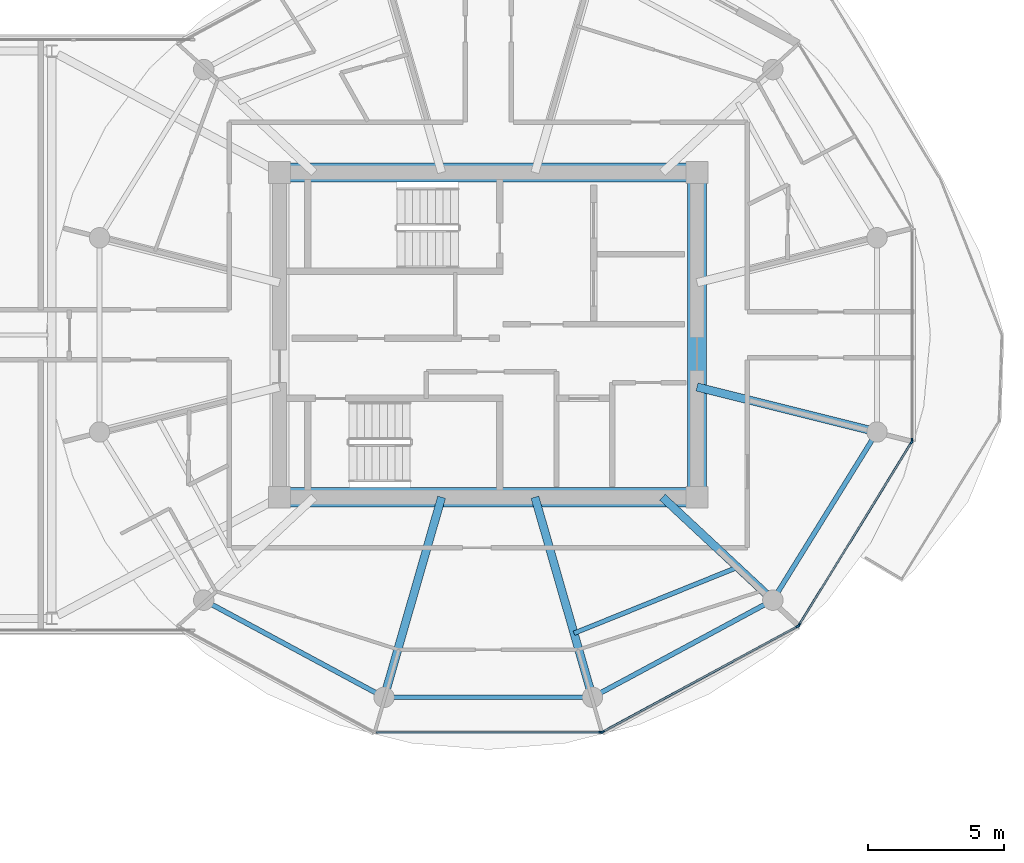
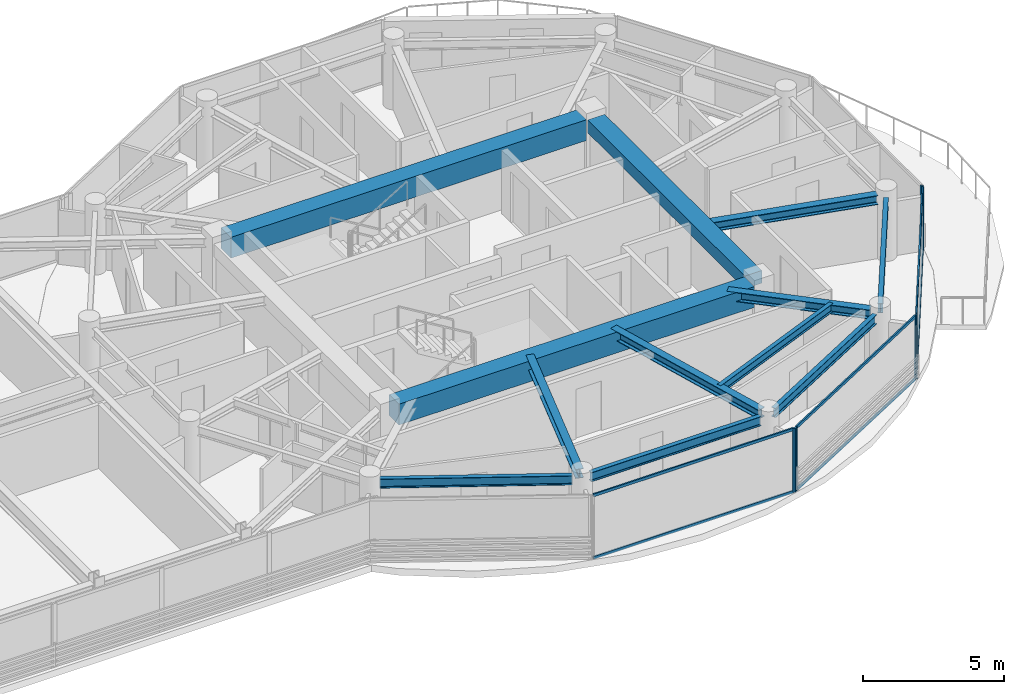
# One storey, part 9 of 23: 12 beams, 12 members, 4 elements without a shape of their own.
"""IFC4 building model written with IfcOpenShell, lengths in metres."""

from ifc_helpers import new_model, si_unit, direction, frame, origin, origin_2d, place, context, subcontext, project, spatial, rectangle, i_section, extrude, source, transform, mapped, material, layer, layer_set, material_profile, profile_set, type_object, type_shapes, element, aggregate, save


model = new_model("IFC4")

# Units and contexts
model_context = context("Model", 3, precision=1e-05, world=origin(), true_north=direction((0.0, 1.0)))
body_context = subcontext(model_context, "Body", "Model", "MODEL_VIEW")
ifc_project = project(units=[si_unit("LENGTHUNIT", "METRE"), si_unit("AREAUNIT", "SQUARE_METRE"), si_unit("VOLUMEUNIT", "CUBIC_METRE"), si_unit("PLANEANGLEUNIT", "RADIAN"), si_unit("MASSUNIT", "GRAM", prefix="KILO")], contexts=[model_context])

# Site, building, storey
site_placement = place(None, origin())
site = spatial("IfcSite", under=ifc_project, at=site_placement, CompositionType="ELEMENT")
building_placement = place(site_placement, origin())
building = spatial("IfcBuilding", under=site, at=building_placement, Name="Norrkilde Senior Care Towers", CompositionType="ELEMENT")
storey_placement = place(building_placement, frame((0.0, 0.0, 216.949951171875)))
storey = spatial("IfcBuildingStorey", under=building, at=storey_placement, Name="L67", CompositionType="ELEMENT", Elevation=216.949951171875)

# Beams
ifc_material_1 = material(Name="Concrete C60/75", Category="concrete")
ifc_material_profile_1 = material_profile(ifc_material_1, rectangle(XDim=0.699951171875, YDim=0.89990234375, at=origin_2d()), Name="RC BM 700x900")
ifc_profile_set_1 = profile_set([ifc_material_profile_1], Name="Concrete C60/75")
beam_type_1 = type_object("IfcBeamType", Name="Core Coupling Girder 700x900", PredefinedType="USERDEFINED", material=ifc_profile_set_1)
shared_shape_1 = source(origin(), body_context, "Body", "SweptSolid", [
    extrude(rectangle(XDim=0.699951171875, YDim=0.89990234375, at=origin_2d()), origin(), (0.0, 0.0, 1.0), 14.5400390625),
])
type_shapes(beam_type_1, [shared_shape_1])
for number, where, z_axis, x_axis, name in (
    (1, (20.72998046875, 5.949951171875, 2.31005859375), (1.0, 0.0, 0.0), (0.0, 1.0, 0.0), "L67 Core E N Coupling Girder"),
    (2, (20.72998046875, -5.949951171875, 2.31005859375), (1.0, 0.0, 0.0), (0.0, 1.0, 0.0), "L67 Core E S Coupling Girder"),
):
    element("IfcBeam", number, at=place(storey_placement, frame(where, z_axis=z_axis, x_axis=x_axis)), inside=storey, type_object=beam_type_1, Name=name, ObjectType="GIRDER", PredefinedType="USERDEFINED", context=body_context, shape_type="MappedRepresentation", body=[
        mapped(shared_shape_1, transform((0.0, 0.0, 0.0), x_axis=(1.0, 0.0, 0.0), y_axis=(0.0, 1.0, 0.0), z_axis=(0.0, 0.0, 1.0), scale=1.0)),
    ])
ifc_material_profile_2 = material_profile(ifc_material_1, rectangle(XDim=0.699951171875, YDim=0.550048828125, at=origin_2d()), Name="RC BM 700x550")
ifc_profile_set_2 = profile_set([ifc_material_profile_2], Name="Concrete C60/75")
beam_type_2 = type_object("IfcBeamType", Name="Core Portal Coupling Beam 700x550", PredefinedType="USERDEFINED", material=ifc_profile_set_2)
shared_shape_2 = source(origin(), body_context, "Body", "SweptSolid", [
    extrude(rectangle(XDim=0.699951171875, YDim=0.550048828125, at=origin_2d()), origin(), (0.0, 0.0, 1.0), 11.14013671875),
])
type_shapes(beam_type_2, [shared_shape_2])
beam_1_placement = place(storey_placement, frame((35.64990234375, -5.570068359375, 2.485107421875), z_axis=(0.0, 1.0, 0.0), x_axis=(-1.0, 0.0, 0.0)))
element("IfcBeam", 3, at=beam_1_placement, inside=storey, type_object=beam_type_2, Name="L67 Core E E Coupling Girder", ObjectType="GIRDER", PredefinedType="USERDEFINED", context=body_context, shape_type="MappedRepresentation", body=[
    mapped(shared_shape_2, transform((0.0, 0.0, 0.0), x_axis=(1.0, 0.0, 0.0), y_axis=(0.0, 1.0, 0.0), z_axis=(0.0, 0.0, 1.0), scale=1.0)),
])
ifc_material_2 = material(Name="Steel S355", Category="steel")
ifc_material_profile_3 = material_profile(ifc_material_2, i_section(OverallWidth=0.179931640625, OverallDepth=0.39990234375, WebThickness=0.008544921875, FlangeThickness=0.013427734375, FilletRadius=0.02099609375, at=origin_2d()), Name="IPE 400")
ifc_profile_set_3 = profile_set([ifc_material_profile_3], Name="Steel S355")
beam_type_3 = type_object("IfcBeamType", Name="Perimeter Ring Spandrel Z4 IPE400", PredefinedType="SPANDREL", material=ifc_profile_set_3)
shared_shape_3 = source(origin(), body_context, "Body", "SweptSolid", [
    extrude(i_section(OverallWidth=0.179931640625, OverallDepth=0.39990234375, WebThickness=0.008544921875, FlangeThickness=0.013427734375, FilletRadius=0.02099609375, at=origin_2d()), origin(), (0.0, 0.0, 1.0), 6.58056640625),
])
beam_2_placement = place(storey_placement, frame((38.606201171875, -9.43798828125, 2.56005859375), z_axis=(0.526529583789, 0.850156807533, 0.0), x_axis=(-0.850156807533, 0.526529583789, 0.0)))
element("IfcBeam", 4, at=beam_2_placement, inside=storey, type_object=beam_type_3, Name="L67 Drum E Perimeter Spandrel 11", PredefinedType="SPANDREL", context=body_context, shape_type="MappedRepresentation", body=[
    mapped(shared_shape_3, transform((0.0, 0.0, 0.0), x_axis=(1.0, 0.0, 0.0), y_axis=(0.0, 1.0, 0.0), z_axis=(0.0, 0.0, 1.0), scale=1.0)),
])
ifc_material_profile_4 = material_profile(ifc_material_2, i_section(OverallWidth=0.300048828125, OverallDepth=0.39990234375, WebThickness=0.013427734375, FlangeThickness=0.02392578125, FilletRadius=0.027099609375, at=origin_2d()), Name="HEB 400")
ifc_profile_set_4 = profile_set([ifc_material_profile_4], Name="Steel S355")
beam_type_4 = type_object("IfcBeamType", Name="Radial Floor Beam Z4 HEB400", PredefinedType="BEAM", material=ifc_profile_set_4)
shared_shape_4 = source(origin(), body_context, "Body", "SweptSolid", [
    extrude(i_section(OverallWidth=0.300048828125, OverallDepth=0.39990234375, WebThickness=0.013427734375, FlangeThickness=0.02392578125, FilletRadius=0.027099609375, at=origin_2d()), origin(), (0.0, 0.0, 1.0), 6.465087890625),
])
beam_3_placement = place(storey_placement, frame((35.64990234375, -1.910888671875, 2.56005859375), z_axis=(0.970195788563, -0.242322371758, 0.0), x_axis=(0.242322371758, 0.970195788563, 0.0)))
element("IfcBeam", 5, at=beam_3_placement, inside=storey, type_object=beam_type_4, Name="L67 Drum E Radial Floor Beam 12", PredefinedType="BEAM", context=body_context, shape_type="MappedRepresentation", body=[
    mapped(shared_shape_4, transform((0.0, 0.0, 0.0), x_axis=(1.0, 0.0, 0.0), y_axis=(0.0, 1.0, 0.0), z_axis=(0.0, 0.0, 1.0), scale=1.0)),
])
shared_shape_5 = source(origin(), body_context, "Body", "SweptSolid", [
    extrude(i_section(OverallWidth=0.179931640625, OverallDepth=0.39990234375, WebThickness=0.008544921875, FlangeThickness=0.013427734375, FilletRadius=0.02099609375, at=origin_2d()), origin(), (0.0, 0.0, 1.0), 6.839111328125),
])
for number, where, z_axis, x_axis, name in (
    (6, (17.865234375, -9.881591796875, 2.56005859375), (0.880563930732, -0.473927382511, 0.0), (0.473927382511, 0.880563930732, 0.0), "L67 Drum E Perimeter Spandrel 08"),
    (7, (32.112548828125, -13.122802734375, 2.56005859375), (0.880563930732, 0.473927382511, 0.0), (-0.473927382511, 0.880563930732, 0.0), "L67 Drum E Perimeter Spandrel 10"),
):
    element("IfcBeam", number, at=place(storey_placement, frame(where, z_axis=z_axis, x_axis=x_axis)), inside=storey, type_object=beam_type_3, Name=name, PredefinedType="SPANDREL", context=body_context, shape_type="MappedRepresentation", body=[
        mapped(shared_shape_5, transform((0.0, 0.0, 0.0), x_axis=(1.0, 0.0, 0.0), y_axis=(0.0, 1.0, 0.0), z_axis=(0.0, 0.0, 1.0), scale=1.0)),
    ])
shared_shape_6 = source(origin(), body_context, "Body", "SweptSolid", [
    extrude(i_section(OverallWidth=0.300048828125, OverallDepth=0.39990234375, WebThickness=0.013427734375, FlangeThickness=0.02392578125, FilletRadius=0.027099609375, at=origin_2d()), origin(), (0.0, 0.0, 1.0), 5.197998046875),
])
beam_4_placement = place(storey_placement, frame((34.3828125, -5.949951171875, 2.56005859375), z_axis=(0.731448749334, -0.681896419625, 0.0), x_axis=(0.681896419625, 0.731448749334, 0.0)))
element("IfcBeam", 8, at=beam_4_placement, inside=storey, type_object=beam_type_4, Name="L67 Drum E Radial Floor Beam 11", PredefinedType="BEAM", context=body_context, shape_type="MappedRepresentation", body=[
    mapped(shared_shape_6, transform((0.0, 0.0, 0.0), x_axis=(1.0, 0.0, 0.0), y_axis=(0.0, 1.0, 0.0), z_axis=(0.0, 0.0, 1.0), scale=1.0)),
])
shared_shape_7 = source(origin(), body_context, "Body", "SweptSolid", [
    extrude(i_section(OverallWidth=0.179931640625, OverallDepth=0.39990234375, WebThickness=0.008544921875, FlangeThickness=0.013427734375, FilletRadius=0.02099609375, at=origin_2d()), origin(), (0.0, 0.0, 1.0), 6.96533203125),
])
type_shapes(beam_type_3, [shared_shape_3, shared_shape_5, shared_shape_7])
beam_5_placement = place(storey_placement, frame((24.517333984375, -13.281494140625, 2.56005859375), z_axis=(1.0, 0.0, 0.0), x_axis=(0.0, 1.0, 0.0)))
element("IfcBeam", 9, at=beam_5_placement, inside=storey, type_object=beam_type_3, Name="L67 Drum E Perimeter Spandrel 09", PredefinedType="SPANDREL", context=body_context, shape_type="MappedRepresentation", body=[
    mapped(shared_shape_7, transform((0.0, 0.0, 0.0), x_axis=(1.0, 0.0, 0.0), y_axis=(0.0, 1.0, 0.0), z_axis=(0.0, 0.0, 1.0), scale=1.0)),
])
shared_shape_8 = source(origin(), body_context, "Body", "SweptSolid", [
    extrude(i_section(OverallWidth=0.300048828125, OverallDepth=0.39990234375, WebThickness=0.013427734375, FlangeThickness=0.02392578125, FilletRadius=0.027099609375, at=origin_2d()), origin(), (0.0, 0.0, 1.0), 7.29345703125),
])
type_shapes(beam_type_4, [shared_shape_4, shared_shape_6, shared_shape_8])
for number, where, z_axis, x_axis, name in (
    (10, (26.289794921875, -5.949951171875, 2.56005859375), (-0.276263751906, -0.961081858836, 0.0), (0.961081858836, -0.276263751906, 0.0), "L67 Drum E Radial Floor Beam 09"),
    (11, (29.710205078125, -5.949951171875, 2.56005859375), (0.276263751906, -0.961081858836, 0.0), (0.961081858836, 0.276263751906, 0.0), "L67 Drum E Radial Floor Beam 10"),
):
    element("IfcBeam", number, at=place(storey_placement, frame(where, z_axis=z_axis, x_axis=x_axis)), inside=storey, type_object=beam_type_4, Name=name, PredefinedType="BEAM", context=body_context, shape_type="MappedRepresentation", body=[
        mapped(shared_shape_8, transform((0.0, 0.0, 0.0), x_axis=(1.0, 0.0, 0.0), y_axis=(0.0, 1.0, 0.0), z_axis=(0.0, 0.0, 1.0), scale=1.0)),
    ])
ifc_material_profile_5 = material_profile(ifc_material_2, i_section(OverallWidth=0.169921875, OverallDepth=0.360107421875, WebThickness=0.008056640625, FlangeThickness=0.0126953125, FilletRadius=0.01806640625, at=origin_2d()), Name="IPE 360")
ifc_profile_set_5 = profile_set([ifc_material_profile_5], Name="Steel S355")
beam_type_5 = type_object("IfcBeamType", Name="Secondary Floor Joist IPE360", PredefinedType="JOIST", material=ifc_profile_set_5)
shared_shape_9 = source(origin(), body_context, "Body", "SweptSolid", [
    extrude(i_section(OverallWidth=0.169921875, OverallDepth=0.360107421875, WebThickness=0.008056640625, FlangeThickness=0.0126953125, FilletRadius=0.01806640625, at=origin_2d()), origin(), (0.0, 0.0, 1.0), 6.461669921875),
])
type_shapes(beam_type_5, [shared_shape_9])
beam_6_placement = place(storey_placement, frame((31.143310546875, -10.935302734375, 2.580078125), z_axis=(0.927225942298, 0.374502405772, 0.0), x_axis=(-0.374502405772, 0.927225942298, 0.0)))
element("IfcBeam", 12, at=beam_6_placement, inside=storey, type_object=beam_type_5, Name="L67 Drum E Secondary Floor Joist 4", PredefinedType="JOIST", context=body_context, shape_type="MappedRepresentation", body=[
    mapped(shared_shape_9, transform((0.0, 0.0, 0.0), x_axis=(1.0, 0.0, 0.0), y_axis=(0.0, 1.0, 0.0), z_axis=(0.0, 0.0, 1.0), scale=1.0)),
])

# Curtain wall, members
ifc_material_3 = material(Name="Triple Low-E Insulated Glazing", Category="glass")
ifc_layer = layer(ifc_material_3, 0.18505859375)
ifc_layer_set = layer_set([ifc_layer], Name="Triple Low-E Insulated Glazing")
curtain_wall_type = type_object("IfcCurtainWallType", Name="CW6 Zone 4 Crown Pavilion Curtain Wall", PredefinedType="NOTDEFINED", material=ifc_layer_set)
curtain_wall_1_placement = place(storey_placement, origin())
curtain_wall_1 = element("IfcCurtainWall", 13, at=curtain_wall_1_placement, inside=storey, type_object=curtain_wall_type, Name="L67 Drum E Curtain Wall 10", PredefinedType="NOTDEFINED")
ifc_material_4 = material(Name="Anodised Aluminium", Category="aluminium")
ifc_material_profile_6 = material_profile(ifc_material_4, rectangle(XDim=0.06005859375, YDim=0.1201171875, at=origin_2d()), Name="ALU TRAN 60x120")
ifc_profile_set_6 = profile_set([ifc_material_profile_6], Name="Anodised Aluminium")
member_type_1 = type_object("IfcMemberType", Name="Curtain Wall Transom Typical 60x120", PredefinedType="USERDEFINED", material=ifc_profile_set_6)
shared_shape_10 = source(origin(), body_context, "Body", "SweptSolid", [
    extrude(rectangle(XDim=0.06005859375, YDim=0.1201171875, at=origin_2d()), origin(), (0.0, 0.0, 1.0), 7.808837890625),
])
member_1_placement = place(storey_placement, frame((43.498046875, -3.958251953125, 0.030029296875), z_axis=(-0.524250924101, -0.851563837055, 0.0), x_axis=(0.851563837055, -0.524250924101, 0.0)))
member_1 = element("IfcMember", 14, at=member_1_placement, type_object=member_type_1, Name="CW-6 transom 1.1", ObjectType="TRANSOM", PredefinedType="USERDEFINED", context=body_context, shape_type="MappedRepresentation", body=[
    mapped(shared_shape_10, transform((0.0, 0.0, 0.0), x_axis=(1.0, 0.0, 0.0), y_axis=(0.0, 1.0, 0.0), z_axis=(0.0, 0.0, 1.0), scale=1.0)),
])
member_2_placement = place(storey_placement, frame((43.498046875, -3.958251953125, 2.72998046875), z_axis=(-0.524250924101, -0.851563837055, 0.0), x_axis=(0.851563837055, -0.524250924101, 0.0)))
member_2 = element("IfcMember", 15, at=member_2_placement, type_object=member_type_1, Name="CW-6 transom 1.2", ObjectType="TRANSOM", PredefinedType="USERDEFINED", context=body_context, shape_type="MappedRepresentation", body=[
    mapped(shared_shape_10, transform((0.0, 0.0, 0.0), x_axis=(1.0, 0.0, 0.0), y_axis=(0.0, 1.0, 0.0), z_axis=(0.0, 0.0, 1.0), scale=1.0)),
])

curtain_wall_2_placement = place(storey_placement, origin())
curtain_wall_2 = element("IfcCurtainWall", 16, at=curtain_wall_2_placement, inside=storey, type_object=curtain_wall_type, Name="L67 Drum E Curtain Wall 08", PredefinedType="NOTDEFINED")
shared_shape_11 = source(origin(), body_context, "Body", "SweptSolid", [
    extrude(rectangle(XDim=0.06005859375, YDim=0.1201171875, at=origin_2d()), origin(), (0.0, 0.0, 1.0), 8.19384765625),
])
member_3_placement = place(storey_placement, frame((32.096923828125, -14.566162109375, 0.030029296875), z_axis=(-1.0, 0.0, 0.0), x_axis=(0.0, -1.0, 0.0)))
member_3 = element("IfcMember", 17, at=member_3_placement, type_object=member_type_1, Name="CW-6 transom 1.1", ObjectType="TRANSOM", PredefinedType="USERDEFINED", context=body_context, shape_type="MappedRepresentation", body=[
    mapped(shared_shape_11, transform((0.0, 0.0, 0.0), x_axis=(1.0, 0.0, 0.0), y_axis=(0.0, 1.0, 0.0), z_axis=(0.0, 0.0, 1.0), scale=1.0)),
])
member_4_placement = place(storey_placement, frame((32.096923828125, -14.566162109375, 2.72998046875), z_axis=(-1.0, 0.0, 0.0), x_axis=(0.0, -1.0, 0.0)))
member_4 = element("IfcMember", 18, at=member_4_placement, type_object=member_type_1, Name="CW-6 transom 1.2", ObjectType="TRANSOM", PredefinedType="USERDEFINED", context=body_context, shape_type="MappedRepresentation", body=[
    mapped(shared_shape_11, transform((0.0, 0.0, 0.0), x_axis=(1.0, 0.0, 0.0), y_axis=(0.0, 1.0, 0.0), z_axis=(0.0, 0.0, 1.0), scale=1.0)),
])

curtain_wall_3_placement = place(storey_placement, origin())
curtain_wall_3 = element("IfcCurtainWall", 19, at=curtain_wall_3_placement, inside=storey, type_object=curtain_wall_type, Name="L67 Drum E Curtain Wall 09", PredefinedType="NOTDEFINED")
shared_shape_12 = source(origin(), body_context, "Body", "SweptSolid", [
    extrude(rectangle(XDim=0.06005859375, YDim=0.1201171875, at=origin_2d()), origin(), (0.0, 0.0, 1.0), 8.0673828125),
])
type_shapes(member_type_1, [shared_shape_10, shared_shape_11, shared_shape_12])
member_5_placement = place(storey_placement, frame((39.313232421875, -10.694091796875, 0.030029296875), z_axis=(-0.87937750072, -0.476125205411, 0.0), x_axis=(0.476125205411, -0.87937750072, 0.0)))
member_5 = element("IfcMember", 20, at=member_5_placement, type_object=member_type_1, Name="CW-6 transom 1.1", ObjectType="TRANSOM", PredefinedType="USERDEFINED", context=body_context, shape_type="MappedRepresentation", body=[
    mapped(shared_shape_12, transform((0.0, 0.0, 0.0), x_axis=(1.0, 0.0, 0.0), y_axis=(0.0, 1.0, 0.0), z_axis=(0.0, 0.0, 1.0), scale=1.0)),
])
member_6_placement = place(storey_placement, frame((39.313232421875, -10.694091796875, 2.72998046875), z_axis=(-0.87937750072, -0.476125205411, 0.0), x_axis=(0.476125205411, -0.87937750072, 0.0)))
member_6 = element("IfcMember", 21, at=member_6_placement, type_object=member_type_1, Name="CW-6 transom 1.2", ObjectType="TRANSOM", PredefinedType="USERDEFINED", context=body_context, shape_type="MappedRepresentation", body=[
    mapped(shared_shape_12, transform((0.0, 0.0, 0.0), x_axis=(1.0, 0.0, 0.0), y_axis=(0.0, 1.0, 0.0), z_axis=(0.0, 0.0, 1.0), scale=1.0)),
])

# Member
ifc_material_profile_7 = material_profile(ifc_material_4, rectangle(XDim=0.06494140625, YDim=0.14990234375, at=origin_2d()), Name="ALU MULL 65x150")
ifc_profile_set_7 = profile_set([ifc_material_profile_7], Name="Anodised Aluminium")
member_type_2 = type_object("IfcMemberType", Name="Curtain Wall Mullion Z3-Z4 65x150", PredefinedType="MULLION", material=ifc_profile_set_7)
shared_shape_13 = source(origin(), body_context, "Body", "SweptSolid", [
    extrude(rectangle(XDim=0.06494140625, YDim=0.14990234375, at=origin_2d()), origin(), (0.0, 0.0, 1.0), 2.760009765625),
])
type_shapes(member_type_2, [shared_shape_13])
member_7_placement = place(storey_placement, frame((32.12939453125, -14.566162109375, 0.0), z_axis=(0.0, 0.0, 1.0), x_axis=(0.0, -1.0, 0.0)))
member_7 = element("IfcMember", 22, at=member_7_placement, type_object=member_type_2, Name="CW-6 mullion 1", PredefinedType="MULLION", context=body_context, shape_type="MappedRepresentation", body=[
    mapped(shared_shape_13, transform((0.0, 0.0, 0.0), x_axis=(1.0, 0.0, 0.0), y_axis=(0.0, 1.0, 0.0), z_axis=(0.0, 0.0, 1.0), scale=1.0)),
])

aggregate(curtain_wall_2, [member_7, member_3, member_4])

member_8_placement = place(storey_placement, frame((39.341796875, -10.6787109375, 0.0), z_axis=(0.0, 0.0, 1.0), x_axis=(0.476132676136, -0.879373455772, 0.0)))
member_8 = element("IfcMember", 23, at=member_8_placement, type_object=member_type_2, Name="CW-6 mullion 1", PredefinedType="MULLION", context=body_context, shape_type="MappedRepresentation", body=[
    mapped(shared_shape_13, transform((0.0, 0.0, 0.0), x_axis=(1.0, 0.0, 0.0), y_axis=(0.0, 1.0, 0.0), z_axis=(0.0, 0.0, 1.0), scale=1.0)),
])

member_9_placement = place(storey_placement, frame((32.1904296875, -14.55078125, 0.0), z_axis=(0.0, 0.0, 1.0), x_axis=(0.476132676136, -0.879373455772, 0.0)))
member_9 = element("IfcMember", 24, at=member_9_placement, type_object=member_type_2, Name="CW-6 mullion 2", PredefinedType="MULLION", context=body_context, shape_type="MappedRepresentation", body=[
    mapped(shared_shape_13, transform((0.0, 0.0, 0.0), x_axis=(1.0, 0.0, 0.0), y_axis=(0.0, 1.0, 0.0), z_axis=(0.0, 0.0, 1.0), scale=1.0)),
])

aggregate(curtain_wall_3, [member_8, member_9, member_5, member_6])

member_10_placement = place(storey_placement, frame((43.51513671875, -3.9306640625, 0.0), z_axis=(0.0, 0.0, 1.0), x_axis=(0.851562727283, -0.524252726748, 0.0)))
member_10 = element("IfcMember", 25, at=member_10_placement, type_object=member_type_2, Name="CW-6 mullion 1", PredefinedType="MULLION", context=body_context, shape_type="MappedRepresentation", body=[
    mapped(shared_shape_13, transform((0.0, 0.0, 0.0), x_axis=(1.0, 0.0, 0.0), y_axis=(0.0, 1.0, 0.0), z_axis=(0.0, 0.0, 1.0), scale=1.0)),
])

member_11_placement = place(storey_placement, frame((39.38720703125, -10.635498046875, 0.0), z_axis=(0.0, 0.0, 1.0), x_axis=(0.851562727283, -0.524252726748, 0.0)))
member_11 = element("IfcMember", 26, at=member_11_placement, type_object=member_type_2, Name="CW-6 mullion 2", PredefinedType="MULLION", context=body_context, shape_type="MappedRepresentation", body=[
    mapped(shared_shape_13, transform((0.0, 0.0, 0.0), x_axis=(1.0, 0.0, 0.0), y_axis=(0.0, 1.0, 0.0), z_axis=(0.0, 0.0, 1.0), scale=1.0)),
])

aggregate(curtain_wall_1, [member_10, member_11, member_1, member_2])

# Curtain wall, member
curtain_wall_4_placement = place(storey_placement, origin())
curtain_wall_4 = element("IfcCurtainWall", 27, at=curtain_wall_4_placement, inside=storey, type_object=curtain_wall_type, Name="L67 Drum E Curtain Wall 11", PredefinedType="NOTDEFINED")
member_12_placement = place(storey_placement, frame((43.531982421875, -3.87060546875, 0.0), z_axis=(0.0, 0.0, 1.0), x_axis=(1.0, 0.0, 0.0)))
member_12 = element("IfcMember", 28, at=member_12_placement, type_object=member_type_2, Name="CW-6 mullion 2", PredefinedType="MULLION", context=body_context, shape_type="MappedRepresentation", body=[
    mapped(shared_shape_13, transform((0.0, 0.0, 0.0), x_axis=(1.0, 0.0, 0.0), y_axis=(0.0, 1.0, 0.0), z_axis=(0.0, 0.0, 1.0), scale=1.0)),
])
aggregate(curtain_wall_4, [member_12])

save(model, "model.ifc")
